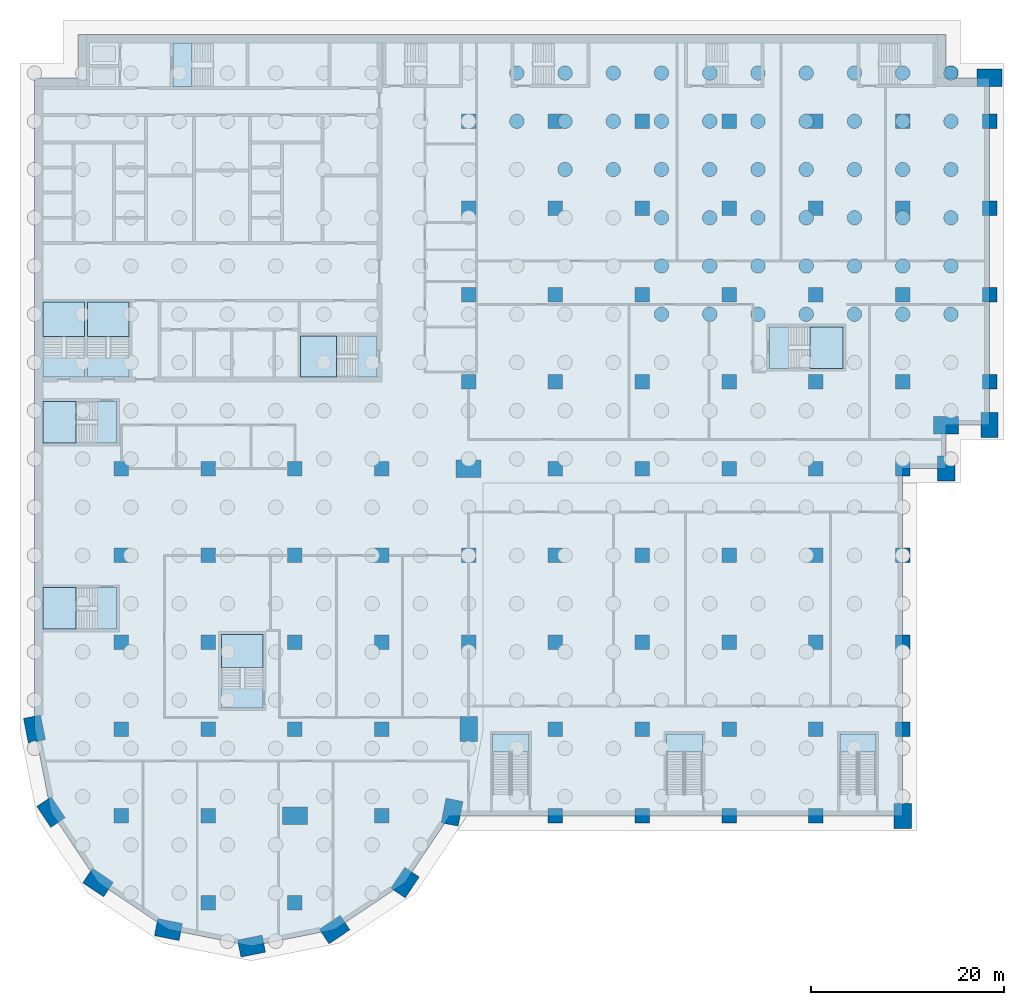
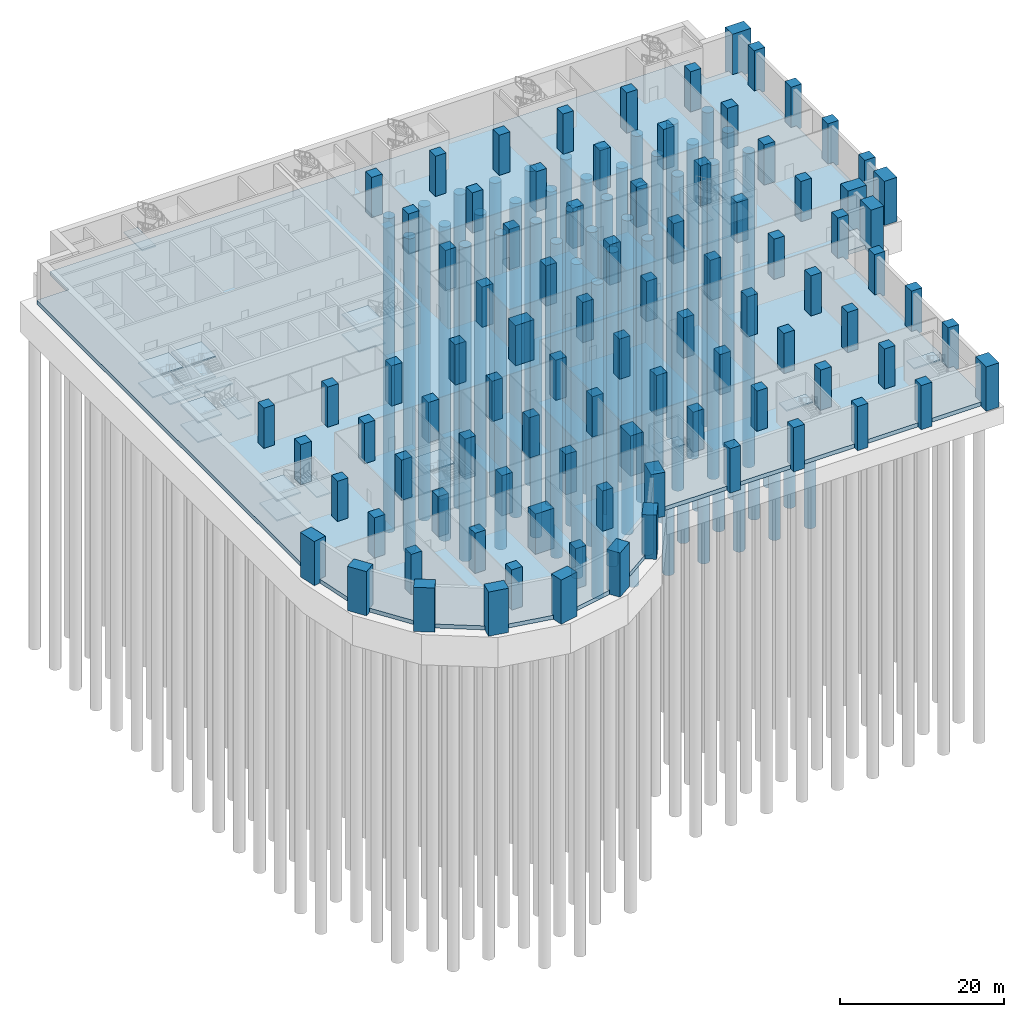
# One storey, part 2 of 25: 91 columns, 50 piles, 26 slabs, 11 elements without a shape of their own.
"""IFC4 building model written with IfcOpenShell, lengths in metres."""

from ifc_helpers import new_model, si_unit, direction, frame, origin, origin_2d, place, context, subcontext, project, spatial, polyline, rectangle, circle, outline, extrude, material, layer, layer_set, material_profile, profile_set, type_object, element, aggregate, save


model = new_model("IFC4")

# Units and contexts
model_context = context("Model", 3, precision=1e-05, world=origin(), true_north=direction((0.0, 1.0)))
body_context = subcontext(model_context, "Body", "Model", "MODEL_VIEW")
ifc_project = project(units=[si_unit("LENGTHUNIT", "METRE"), si_unit("AREAUNIT", "SQUARE_METRE"), si_unit("VOLUMEUNIT", "CUBIC_METRE"), si_unit("PLANEANGLEUNIT", "RADIAN"), si_unit("MASSUNIT", "GRAM", prefix="KILO")], contexts=[model_context])

# Site, building, storey
site_placement = place(None, origin())
site = spatial("IfcSite", under=ifc_project, at=site_placement, CompositionType="ELEMENT")
building_placement = place(site_placement, origin())
building = spatial("IfcBuilding", under=site, at=building_placement, Name="Hunhe Ridgeline Campus", CompositionType="ELEMENT")
storey_placement = place(building_placement, frame((0.0, 0.0, -6.0)))
storey = spatial("IfcBuildingStorey", under=building, at=storey_placement, Name="B1", CompositionType="ELEMENT", Elevation=-6.0)

# Piles
ifc_material_1 = material(Name="Concrete C35", Category="concrete")
ifc_material_profile_1 = material_profile(ifc_material_1, circle(Radius=0.75, at=origin_2d()))
ifc_profile_set_1 = profile_set([ifc_material_profile_1], Name="Concrete C35")
pile_type = type_object("IfcPileType", Name="Bored pile D1500 under tower raft Concrete C35", PredefinedType="BORED", material=ifc_profile_set_1)
for number, where, z_axis, x_axis, name in (
    (1, (50.0, 90.0, -5.10009765625), (0.0, 0.0, -1.0), (1.0, 0.0, 0.0), "Bored pile D1500 at F1"),
    (2, (50.0, 95.0, -5.10009765625), (0.0, 0.0, -1.0), (1.0, 0.0, 0.0), "Bored pile D1500 at F1"),
    (3, (55.0, 85.0, -5.10009765625), (0.0, 0.0, -1.0), (1.0, 0.0, 0.0), "Bored pile D1500 at F1"),
    (4, (55.0, 90.0, -5.10009765625), (0.0, 0.0, -1.0), (1.0, 0.0, 0.0), "Bored pile D1500 at F1"),
    (5, (55.0, 95.0, -5.10009765625), (0.0, 0.0, -1.0), (1.0, 0.0, 0.0), "Bored pile D1500 at F1"),
    (6, (60.0, 85.0, -5.10009765625), (0.0, 0.0, -1.0), (1.0, 0.0, 0.0), "Bored pile D1500 at F1"),
    (7, (60.0, 90.0, -5.10009765625), (0.0, 0.0, -1.0), (1.0, 0.0, 0.0), "Bored pile D1500 at F1"),
    (8, (60.0, 95.0, -5.10009765625), (0.0, 0.0, -1.0), (1.0, 0.0, 0.0), "Bored pile D1500 at F1"),
    (9, (65.0, 70.0, -5.10009765625), (0.0, 0.0, -1.0), (1.0, 0.0, 0.0), "Bored pile D1500 at F1"),
    (10, (65.0, 75.0, -5.10009765625), (0.0, 0.0, -1.0), (1.0, 0.0, 0.0), "Bored pile D1500 at F1"),
    (11, (65.0, 80.0, -5.10009765625), (0.0, 0.0, -1.0), (1.0, 0.0, 0.0), "Bored pile D1500 at F1"),
    (12, (65.0, 85.0, -5.10009765625), (0.0, 0.0, -1.0), (1.0, 0.0, 0.0), "Bored pile D1500 at F1"),
    (13, (65.0, 90.0, -5.10009765625), (0.0, 0.0, -1.0), (1.0, 0.0, 0.0), "Bored pile D1500 at F1"),
    (14, (65.0, 95.0, -5.10009765625), (0.0, 0.0, -1.0), (1.0, 0.0, 0.0), "Bored pile D1500 at F1"),
    (15, (70.0, 70.0, -5.10009765625), (0.0, 0.0, -1.0), (1.0, 0.0, 0.0), "Bored pile D1500 at F1"),
    (16, (70.0, 75.0, -5.10009765625), (0.0, 0.0, -1.0), (1.0, 0.0, 0.0), "Bored pile D1500 at F1"),
    (17, (70.0, 80.0, -5.10009765625), (0.0, 0.0, -1.0), (1.0, 0.0, 0.0), "Bored pile D1500 at F1"),
    (18, (70.0, 85.0, -5.10009765625), (0.0, 0.0, -1.0), (1.0, 0.0, 0.0), "Bored pile D1500 at F1"),
    (19, (70.0, 90.0, -5.10009765625), (0.0, 0.0, -1.0), (1.0, 0.0, 0.0), "Bored pile D1500 at F1"),
    (20, (70.0, 95.0, -5.10009765625), (0.0, 0.0, -1.0), (1.0, 0.0, 0.0), "Bored pile D1500 at F1"),
    (21, (75.0, 70.0, -5.10009765625), (0.0, 0.0, -1.0), (1.0, 0.0, 0.0), "Bored pile D1500 at F1"),
    (22, (75.0, 75.0, -5.10009765625), (0.0, 0.0, -1.0), (1.0, 0.0, 0.0), "Bored pile D1500 at F1"),
    (23, (75.0, 80.0, -5.10009765625), (0.0, 0.0, -1.0), (1.0, 0.0, 0.0), "Bored pile D1500 at F1"),
    (24, (75.0, 85.0, -5.10009765625), (0.0, 0.0, -1.0), (1.0, 0.0, 0.0), "Bored pile D1500 at F1"),
    (25, (75.0, 90.0, -5.10009765625), (0.0, 0.0, -1.0), (1.0, 0.0, 0.0), "Bored pile D1500 at F1"),
    (26, (75.0, 95.0, -5.10009765625), (0.0, 0.0, -1.0), (1.0, 0.0, 0.0), "Bored pile D1500 at F1"),
    (27, (80.0, 70.0, -5.10009765625), (0.0, 0.0, -1.0), (1.0, 0.0, 0.0), "Bored pile D1500 at F1"),
    (28, (80.0, 75.0, -5.10009765625), (0.0, 0.0, -1.0), (1.0, 0.0, 0.0), "Bored pile D1500 at F1"),
    (29, (80.0, 80.0, -5.10009765625), (0.0, 0.0, -1.0), (1.0, 0.0, 0.0), "Bored pile D1500 at F1"),
    (30, (80.0, 85.0, -5.10009765625), (0.0, 0.0, -1.0), (1.0, 0.0, 0.0), "Bored pile D1500 at F1"),
    (31, (80.0, 90.0, -5.10009765625), (0.0, 0.0, -1.0), (1.0, 0.0, 0.0), "Bored pile D1500 at F1"),
    (32, (80.0, 95.0, -5.10009765625), (0.0, 0.0, -1.0), (1.0, 0.0, 0.0), "Bored pile D1500 at F1"),
    (33, (85.0, 70.0, -5.10009765625), (0.0, 0.0, -1.0), (1.0, 0.0, 0.0), "Bored pile D1500 at F1"),
    (34, (85.0, 75.0, -5.10009765625), (0.0, 0.0, -1.0), (1.0, 0.0, 0.0), "Bored pile D1500 at F1"),
    (35, (85.0, 80.0, -5.10009765625), (0.0, 0.0, -1.0), (1.0, 0.0, 0.0), "Bored pile D1500 at F1"),
    (36, (85.0, 85.0, -5.10009765625), (0.0, 0.0, -1.0), (1.0, 0.0, 0.0), "Bored pile D1500 at F1"),
    (37, (85.0, 90.0, -5.10009765625), (0.0, 0.0, -1.0), (1.0, 0.0, 0.0), "Bored pile D1500 at F1"),
    (38, (85.0, 95.0, -5.10009765625), (0.0, 0.0, -1.0), (1.0, 0.0, 0.0), "Bored pile D1500 at F1"),
    (39, (90.0, 70.0, -5.10009765625), (0.0, 0.0, -1.0), (1.0, 0.0, 0.0), "Bored pile D1500 at F1"),
    (40, (90.0, 75.0, -5.10009765625), (0.0, 0.0, -1.0), (1.0, 0.0, 0.0), "Bored pile D1500 at F1"),
    (41, (90.0, 80.0, -5.10009765625), (0.0, 0.0, -1.0), (1.0, 0.0, 0.0), "Bored pile D1500 at F1"),
    (42, (90.0, 85.0, -5.10009765625), (0.0, 0.0, -1.0), (1.0, 0.0, 0.0), "Bored pile D1500 at F1"),
    (43, (90.0, 90.0, -5.10009765625), (0.0, 0.0, -1.0), (1.0, 0.0, 0.0), "Bored pile D1500 at F1"),
    (44, (90.0, 95.0, -5.10009765625), (0.0, 0.0, -1.0), (1.0, 0.0, 0.0), "Bored pile D1500 at F1"),
    (45, (95.0, 70.0, -5.10009765625), (0.0, 0.0, -1.0), (1.0, 0.0, 0.0), "Bored pile D1500 at F1"),
    (46, (95.0, 75.0, -5.10009765625), (0.0, 0.0, -1.0), (1.0, 0.0, 0.0), "Bored pile D1500 at F1"),
    (47, (95.0, 80.0, -5.10009765625), (0.0, 0.0, -1.0), (1.0, 0.0, 0.0), "Bored pile D1500 at F1"),
    (48, (95.0, 85.0, -5.10009765625), (0.0, 0.0, -1.0), (1.0, 0.0, 0.0), "Bored pile D1500 at F1"),
    (49, (95.0, 90.0, -5.10009765625), (0.0, 0.0, -1.0), (1.0, 0.0, 0.0), "Bored pile D1500 at F1"),
    (50, (95.0, 95.0, -5.10009765625), (0.0, 0.0, -1.0), (1.0, 0.0, 0.0), "Bored pile D1500 at F1"),
):
    element("IfcPile", number, at=place(storey_placement, frame(where, z_axis=z_axis, x_axis=x_axis)), inside=storey, type_object=pile_type, Name=name, PredefinedType="BORED", context=body_context, shape_type="SweptSolid", body=[
        extrude(circle(Radius=0.75, at=origin_2d()), origin(), (0.0, 0.0, 1.0), 46.89990234375),
    ])

# Columns
ifc_material_2 = material(Name="Concrete C80", Category="concrete")
ifc_material_profile_2 = material_profile(ifc_material_2, rectangle(XDim=2.60009765625, YDim=1.800048828125, at=origin_2d()))
ifc_profile_set_2 = profile_set([ifc_material_profile_2], Name="Concrete C80")
column_type_1 = type_object("IfcColumnType", Name="Megacolumn 2600x1800 Concrete C80", PredefinedType="COLUMN", material=ifc_profile_set_2)
for number, where, z_axis, x_axis, name in (
    (51, (22.5, 4.5, -0.60009765625), (0.0, 0.0, 1.0), (0.980785280403, 0.195090322016, 0.0), "Column C1 R1 B1"),
    (52, (13.8896484375, 6.212646484375, -0.60009765625), (0.0, 0.0, 1.0), (-0.980785280403, 0.195090322016, 0.0), "Column C1 R2 B1"),
    (53, (31.1103515625, 6.212646484375, -0.60009765625), (0.0, 0.0, 1.0), (0.831469612303, 0.55557023302, 0.0), "Column C1 R3 B1"),
    (54, (6.590087890625, 11.090087890625, -0.60009765625), (0.0, 0.0, 1.0), (-0.831469612303, 0.55557023302, 0.0), "Column C1 R4 B1"),
    (55, (38.409912109375, 11.090087890625, -0.60009765625), (0.0, 0.0, 1.0), (0.55557023302, 0.831469612303, 0.0), "Column C1 R5 B1"),
    (56, (1.712646484375, 18.3896484375, -0.60009765625), (0.0, 0.0, 1.0), (-0.55557023302, 0.831469612303, 0.0), "Column C1 R9 B1"),
    (57, (43.287353515625, 18.3896484375, -0.60009765625), (0.0, 0.0, 1.0), (0.195090322016, 0.980785280403, 0.0), "Column C1 R10 B1"),
    (58, (0.0, 27.0, -0.60009765625), (0.0, 0.0, 1.0), (-0.195090322016, 0.980785280403, 0.0), "Column C1 D1 B1"),
    (59, (45.0, 27.0, -0.60009765625), (0.0, 0.0, 1.0), (0.0, 1.0, 0.0), "Column C1 D6 B1"),
    (60, (45.0, 54.0, -0.60009765625), (0.0, 0.0, 1.0), (1.0, 0.0, 0.0), "Column C1 G6 B1"),
    (61, (94.5, 54.0, -0.60009765625), (0.0, 0.0, 1.0), (0.0, 1.0, 0.0), "Column C1 R32 B1"),
    (62, (94.5, 58.5, -0.60009765625), (0.0, 0.0, 1.0), (1.0, 0.0, 0.0), "Column C1 R39 B1"),
    (63, (99.0, 58.5, -0.60009765625), (0.0, 0.0, 1.0), (0.0, 1.0, 0.0), "Column C1 R40 B1"),
    (64, (99.0, 94.5, -0.60009765625), (0.0, 0.0, 1.0), (1.0, 0.0, 0.0), "Column C1 R44 B1"),
    (65, (27.0, 18.0, -0.60009765625), (0.0, 0.0, 1.0), (1.0, 0.0, 0.0), "Column C1 C4 B1"),
    (66, (90.0, 18.0, -0.60009765625), (0.0, 0.0, 1.0), (0.0, 1.0, 0.0), "Column C1 C11 B1"),
):
    element("IfcColumn", number, at=place(storey_placement, frame(where, z_axis=z_axis, x_axis=x_axis)), inside=storey, type_object=column_type_1, Name=name, PredefinedType="COLUMN", context=body_context, shape_type="SweptSolid", body=[
        extrude(rectangle(XDim=2.60009765625, YDim=1.800048828125, at=origin_2d()), origin(), (0.0, 0.0, 1.0), 6.60009765625),
    ])
ifc_material_profile_3 = material_profile(ifc_material_2, rectangle(XDim=1.5, YDim=1.5, at=origin_2d()))
ifc_profile_set_3 = profile_set([ifc_material_profile_3], Name="Concrete C80")
column_type_2 = type_object("IfcColumnType", Name="RC column 1500x1500 Concrete C80", PredefinedType="COLUMN", material=ifc_profile_set_3)
for number, where, z_axis, x_axis, name in (
    (67, (45.0, 36.0, -0.60009765625), (0.0, 0.0, 1.0), (1.0, 0.0, 0.0), "Column C2 E6 B1"),
    (68, (45.0, 45.0, -0.60009765625), (0.0, 0.0, 1.0), (1.0, 0.0, 0.0), "Column C2 F6 B1"),
    (69, (54.0, 54.0, -0.60009765625), (0.0, 0.0, 1.0), (1.0, 0.0, 0.0), "Column C2 G7 B1"),
    (70, (63.0, 54.0, -0.60009765625), (0.0, 0.0, 1.0), (1.0, 0.0, 0.0), "Column C2 G8 B1"),
    (71, (72.0, 54.0, -0.60009765625), (0.0, 0.0, 1.0), (1.0, 0.0, 0.0), "Column C2 G9 B1"),
    (72, (81.0, 54.0, -0.60009765625), (0.0, 0.0, 1.0), (1.0, 0.0, 0.0), "Column C2 G10 B1"),
    (73, (90.0, 54.0, -0.60009765625), (0.0, 0.0, 1.0), (1.0, 0.0, 0.0), "Column C2 G11 B1"),
    (74, (99.0, 63.0, -0.60009765625), (0.0, 0.0, 1.0), (1.0, 0.0, 0.0), "Column C2 H12 B1"),
    (75, (99.0, 72.0, -0.60009765625), (0.0, 0.0, 1.0), (1.0, 0.0, 0.0), "Column C2 I12 B1"),
    (76, (99.0, 81.0, -0.60009765625), (0.0, 0.0, 1.0), (1.0, 0.0, 0.0), "Column C2 J12 B1"),
    (77, (99.0, 90.0, -0.60009765625), (0.0, 0.0, 1.0), (1.0, 0.0, 0.0), "Column C2 K12 B1"),
    (78, (9.0, 18.0, -0.60009765625), (0.0, 0.0, 1.0), (1.0, 0.0, 0.0), "Column C2 C2 B1"),
    (79, (9.0, 27.0, -0.60009765625), (0.0, 0.0, 1.0), (1.0, 0.0, 0.0), "Column C2 D2 B1"),
    (80, (9.0, 36.0, -0.60009765625), (0.0, 0.0, 1.0), (1.0, 0.0, 0.0), "Column C2 E2 B1"),
    (81, (9.0, 45.0, -0.60009765625), (0.0, 0.0, 1.0), (1.0, 0.0, 0.0), "Column C2 F2 B1"),
    (82, (9.0, 54.0, -0.60009765625), (0.0, 0.0, 1.0), (1.0, 0.0, 0.0), "Column C2 G2 B1"),
    (83, (18.0, 18.0, -0.60009765625), (0.0, 0.0, 1.0), (1.0, 0.0, 0.0), "Column C2 C3 B1"),
    (84, (18.0, 27.0, -0.60009765625), (0.0, 0.0, 1.0), (1.0, 0.0, 0.0), "Column C2 D3 B1"),
    (85, (18.0, 36.0, -0.60009765625), (0.0, 0.0, 1.0), (1.0, 0.0, 0.0), "Column C2 E3 B1"),
    (86, (18.0, 45.0, -0.60009765625), (0.0, 0.0, 1.0), (1.0, 0.0, 0.0), "Column C2 F3 B1"),
    (87, (18.0, 54.0, -0.60009765625), (0.0, 0.0, 1.0), (1.0, 0.0, 0.0), "Column C2 G3 B1"),
    (88, (27.0, 27.0, -0.60009765625), (0.0, 0.0, 1.0), (1.0, 0.0, 0.0), "Column C2 D4 B1"),
    (89, (27.0, 36.0, -0.60009765625), (0.0, 0.0, 1.0), (1.0, 0.0, 0.0), "Column C2 E4 B1"),
    (90, (27.0, 45.0, -0.60009765625), (0.0, 0.0, 1.0), (1.0, 0.0, 0.0), "Column C2 F4 B1"),
    (91, (27.0, 54.0, -0.60009765625), (0.0, 0.0, 1.0), (1.0, 0.0, 0.0), "Column C2 G4 B1"),
    (92, (36.0, 18.0, -0.60009765625), (0.0, 0.0, 1.0), (1.0, 0.0, 0.0), "Column C2 C5 B1"),
    (93, (36.0, 27.0, -0.60009765625), (0.0, 0.0, 1.0), (1.0, 0.0, 0.0), "Column C2 D5 B1"),
    (94, (36.0, 36.0, -0.60009765625), (0.0, 0.0, 1.0), (1.0, 0.0, 0.0), "Column C2 E5 B1"),
    (95, (36.0, 45.0, -0.60009765625), (0.0, 0.0, 1.0), (1.0, 0.0, 0.0), "Column C2 F5 B1"),
    (96, (36.0, 54.0, -0.60009765625), (0.0, 0.0, 1.0), (1.0, 0.0, 0.0), "Column C2 G5 B1"),
    (97, (45.0, 63.0, -0.60009765625), (0.0, 0.0, 1.0), (1.0, 0.0, 0.0), "Column C2 H6 B1"),
    (98, (45.0, 72.0, -0.60009765625), (0.0, 0.0, 1.0), (1.0, 0.0, 0.0), "Column C2 I6 B1"),
    (99, (45.0, 81.0, -0.60009765625), (0.0, 0.0, 1.0), (1.0, 0.0, 0.0), "Column C2 J6 B1"),
    (100, (45.0, 90.0, -0.60009765625), (0.0, 0.0, 1.0), (1.0, 0.0, 0.0), "Column C2 K6 B1"),
    (101, (54.0, 63.0, -0.60009765625), (0.0, 0.0, 1.0), (1.0, 0.0, 0.0), "Column C2 H7 B1"),
    (102, (54.0, 72.0, -0.60009765625), (0.0, 0.0, 1.0), (1.0, 0.0, 0.0), "Column C2 I7 B1"),
    (103, (54.0, 81.0, -0.60009765625), (0.0, 0.0, 1.0), (1.0, 0.0, 0.0), "Column C2 J7 B1"),
    (104, (54.0, 90.0, -0.60009765625), (0.0, 0.0, 1.0), (1.0, 0.0, 0.0), "Column C2 K7 B1"),
    (105, (63.0, 63.0, -0.60009765625), (0.0, 0.0, 1.0), (1.0, 0.0, 0.0), "Column C2 H8 B1"),
    (106, (63.0, 72.0, -0.60009765625), (0.0, 0.0, 1.0), (1.0, 0.0, 0.0), "Column C2 I8 B1"),
    (107, (63.0, 81.0, -0.60009765625), (0.0, 0.0, 1.0), (1.0, 0.0, 0.0), "Column C2 J8 B1"),
    (108, (63.0, 90.0, -0.60009765625), (0.0, 0.0, 1.0), (1.0, 0.0, 0.0), "Column C2 K8 B1"),
    (109, (72.0, 63.0, -0.60009765625), (0.0, 0.0, 1.0), (1.0, 0.0, 0.0), "Column C2 H9 B1"),
    (110, (72.0, 72.0, -0.60009765625), (0.0, 0.0, 1.0), (1.0, 0.0, 0.0), "Column C2 I9 B1"),
    (111, (72.0, 81.0, -0.60009765625), (0.0, 0.0, 1.0), (1.0, 0.0, 0.0), "Column C2 J9 B1"),
    (112, (72.0, 90.0, -0.60009765625), (0.0, 0.0, 1.0), (1.0, 0.0, 0.0), "Column C2 K9 B1"),
    (113, (81.0, 63.0, -0.60009765625), (0.0, 0.0, 1.0), (1.0, 0.0, 0.0), "Column C2 H10 B1"),
    (114, (81.0, 72.0, -0.60009765625), (0.0, 0.0, 1.0), (1.0, 0.0, 0.0), "Column C2 I10 B1"),
    (115, (81.0, 81.0, -0.60009765625), (0.0, 0.0, 1.0), (1.0, 0.0, 0.0), "Column C2 J10 B1"),
    (116, (81.0, 90.0, -0.60009765625), (0.0, 0.0, 1.0), (1.0, 0.0, 0.0), "Column C2 K10 B1"),
    (117, (90.0, 63.0, -0.60009765625), (0.0, 0.0, 1.0), (1.0, 0.0, 0.0), "Column C2 H11 B1"),
    (118, (90.0, 72.0, -0.60009765625), (0.0, 0.0, 1.0), (1.0, 0.0, 0.0), "Column C2 I11 B1"),
    (119, (90.0, 81.0, -0.60009765625), (0.0, 0.0, 1.0), (1.0, 0.0, 0.0), "Column C2 J11 B1"),
    (120, (90.0, 90.0, -0.60009765625), (0.0, 0.0, 1.0), (1.0, 0.0, 0.0), "Column C2 K11 B1"),
    (121, (54.0, 18.0, -0.60009765625), (0.0, 0.0, 1.0), (1.0, 0.0, 0.0), "Column C2 C7 B1"),
    (122, (63.0, 18.0, -0.60009765625), (0.0, 0.0, 1.0), (1.0, 0.0, 0.0), "Column C2 C8 B1"),
    (123, (72.0, 18.0, -0.60009765625), (0.0, 0.0, 1.0), (1.0, 0.0, 0.0), "Column C2 C9 B1"),
    (124, (81.0, 18.0, -0.60009765625), (0.0, 0.0, 1.0), (1.0, 0.0, 0.0), "Column C2 C10 B1"),
    (125, (90.0, 27.0, -0.60009765625), (0.0, 0.0, 1.0), (1.0, 0.0, 0.0), "Column C2 D11 B1"),
    (126, (90.0, 36.0, -0.60009765625), (0.0, 0.0, 1.0), (1.0, 0.0, 0.0), "Column C2 E11 B1"),
    (127, (90.0, 45.0, -0.60009765625), (0.0, 0.0, 1.0), (1.0, 0.0, 0.0), "Column C2 F11 B1"),
    (128, (18.0, 9.0, -0.60009765625), (0.0, 0.0, 1.0), (1.0, 0.0, 0.0), "Column C2 B3 B1"),
    (129, (27.0, 9.0, -0.60009765625), (0.0, 0.0, 1.0), (1.0, 0.0, 0.0), "Column C2 B4 B1"),
    (130, (54.0, 27.0, -0.60009765625), (0.0, 0.0, 1.0), (1.0, 0.0, 0.0), "Column C2 D7 B1"),
    (131, (54.0, 36.0, -0.60009765625), (0.0, 0.0, 1.0), (1.0, 0.0, 0.0), "Column C2 E7 B1"),
    (132, (54.0, 45.0, -0.60009765625), (0.0, 0.0, 1.0), (1.0, 0.0, 0.0), "Column C2 F7 B1"),
    (133, (63.0, 27.0, -0.60009765625), (0.0, 0.0, 1.0), (1.0, 0.0, 0.0), "Column C2 D8 B1"),
    (134, (63.0, 36.0, -0.60009765625), (0.0, 0.0, 1.0), (1.0, 0.0, 0.0), "Column C2 E8 B1"),
    (135, (63.0, 45.0, -0.60009765625), (0.0, 0.0, 1.0), (1.0, 0.0, 0.0), "Column C2 F8 B1"),
    (136, (72.0, 27.0, -0.60009765625), (0.0, 0.0, 1.0), (1.0, 0.0, 0.0), "Column C2 D9 B1"),
    (137, (72.0, 36.0, -0.60009765625), (0.0, 0.0, 1.0), (1.0, 0.0, 0.0), "Column C2 E9 B1"),
    (138, (72.0, 45.0, -0.60009765625), (0.0, 0.0, 1.0), (1.0, 0.0, 0.0), "Column C2 F9 B1"),
    (139, (81.0, 27.0, -0.60009765625), (0.0, 0.0, 1.0), (1.0, 0.0, 0.0), "Column C2 D10 B1"),
    (140, (81.0, 36.0, -0.60009765625), (0.0, 0.0, 1.0), (1.0, 0.0, 0.0), "Column C2 E10 B1"),
    (141, (81.0, 45.0, -0.60009765625), (0.0, 0.0, 1.0), (1.0, 0.0, 0.0), "Column C2 F10 B1"),
):
    element("IfcColumn", number, at=place(storey_placement, frame(where, z_axis=z_axis, x_axis=x_axis)), inside=storey, type_object=column_type_2, Name=name, PredefinedType="COLUMN", context=body_context, shape_type="SweptSolid", body=[
        extrude(rectangle(XDim=1.5, YDim=1.5, at=origin_2d()), origin(), (0.0, 0.0, 1.0), 6.60009765625),
    ])

# Slab
ifc_material_3 = material(Name="Concrete C40", Category="concrete")
ifc_layer_1 = layer(ifc_material_3, 0.60009765625)
ifc_layer_set_1 = layer_set([ifc_layer_1], Name="Base slab 600 Concrete C40")
slab_type_1 = type_object("IfcSlabType", Name="Base slab 600 Concrete C40", PredefinedType="BASESLAB", material=ifc_layer_set_1)
slab_1_placement = place(storey_placement, frame((0.0, 0.0, -0.60009765625)))
element("IfcSlab", 142, at=slab_1_placement, inside=storey, type_object=slab_type_1, Name="Base slab", PredefinedType="BASESLAB", context=body_context, shape_type="SweptSolid", body=[
    extrude(outline(polyline([(90.0, 54.0), (94.5, 54.0), (94.5, 58.5), (99.0, 58.5), (99.0, 94.5), (94.5, 94.5), (94.5, 99.0), (4.5, 99.0), (4.5, 94.5), (0.0, 94.5), (0.0, 27.0), (1.712646484375, 18.3896484375), (6.590087890625, 11.090087890625), (13.8896484375, 6.212646484375), (22.5, 4.5), (31.1103515625, 6.212646484375), (38.409912109375, 11.090087890625), (43.02685546875, 18.0), (90.0, 18.0), (90.0, 54.0)])), origin(), (0.0, 0.0, 1.0), 0.60009765625),
])

# Stair, slab
stair_type_1 = type_object("IfcStairType", Name="Podium exit stair 1800", PredefinedType="HALF_TURN_STAIR", material=ifc_material_3)
stair_1_placement = place(storey_placement, origin())
stair_1 = element("IfcStair", 143, at=stair_1_placement, inside=storey, type_object=stair_type_1, Name="B1 podium stair PS1", PredefinedType="HALF_TURN_STAIR")
ifc_layer_2 = layer(ifc_material_3, 0.199951171875)
ifc_layer_set_2 = layer_set([ifc_layer_2], Name="Podium stair landing 200 C40")
slab_type_2 = type_object("IfcSlabType", Name="Podium stair landing 200 C40", PredefinedType="LANDING", material=ifc_layer_set_2)
slab_2_placement = place(storey_placement, frame((0.0, 0.0, 2.800048828125)))
slab_2 = element("IfcSlab", 144, at=slab_2_placement, type_object=slab_type_2, Name="PS1 landing 1", PredefinedType="LANDING", context=body_context, shape_type="SweptSolid", body=[
    extrude(outline(polyline([(51.25, 24.6201171875), (51.25, 26.5), (47.5, 26.5), (47.5, 24.6201171875), (51.25, 24.6201171875)])), origin(), (0.0, 0.0, 1.0), 0.199951171875),
])
aggregate(stair_1, [slab_2])

stair_2_placement = place(storey_placement, origin())
stair_2 = element("IfcStair", 145, at=stair_2_placement, inside=storey, type_object=stair_type_1, Name="B1 podium stair PS2", PredefinedType="HALF_TURN_STAIR")
slab_3_placement = place(storey_placement, frame((0.0, 0.0, 2.800048828125)))
slab_3 = element("IfcSlab", 146, at=slab_3_placement, type_object=slab_type_2, Name="PS2 landing 1", PredefinedType="LANDING", context=body_context, shape_type="SweptSolid", body=[
    extrude(outline(polyline([(69.25, 24.6201171875), (69.25, 26.5), (65.5, 26.5), (65.5, 24.6201171875), (69.25, 24.6201171875)])), origin(), (0.0, 0.0, 1.0), 0.199951171875),
])
aggregate(stair_2, [slab_3])

stair_3_placement = place(storey_placement, origin())
stair_3 = element("IfcStair", 147, at=stair_3_placement, inside=storey, type_object=stair_type_1, Name="B1 podium stair PS3", PredefinedType="HALF_TURN_STAIR")
slab_4_placement = place(storey_placement, frame((0.0, 0.0, 2.800048828125)))
slab_4 = element("IfcSlab", 148, at=slab_4_placement, type_object=slab_type_2, Name="PS3 landing 1", PredefinedType="LANDING", context=body_context, shape_type="SweptSolid", body=[
    extrude(outline(polyline([(87.25, 24.6201171875), (87.25, 26.5), (83.5, 26.5), (83.5, 24.6201171875), (87.25, 24.6201171875)])), origin(), (0.0, 0.0, 1.0), 0.199951171875),
])
aggregate(stair_3, [slab_4])

stair_type_2 = type_object("IfcStairType", Name="Reinforced concrete dog-leg stair 1950 Concrete C40", PredefinedType="HALF_TURN_STAIR", material=ifc_material_3)
stair_4_placement = place(storey_placement, origin())
stair_4 = element("IfcStair", 149, at=stair_4_placement, inside=storey, type_object=stair_type_2, Name="B1 S1", PredefinedType="HALF_TURN_STAIR")
ifc_layer_3 = layer(ifc_material_3, 0.199951171875)
ifc_layer_set_3 = layer_set([ifc_layer_3], Name="Reinforced concrete stair landing 200 Concrete C40")
slab_type_3 = type_object("IfcSlabType", Name="Reinforced concrete stair landing 200 Concrete C40", PredefinedType="LANDING", material=ifc_layer_set_3)
slab_5_placement = place(storey_placement, frame((0.0, 0.0, 2.800048828125)))
slab_5 = element("IfcSlab", 150, at=slab_5_placement, type_object=slab_type_3, Name="ST1 landing 2", PredefinedType="LANDING", context=body_context, shape_type="SweptSolid", body=[
    extrude(outline(polyline([(14.35009765625, 93.60009765625), (16.300048828125, 93.60009765625), (16.300048828125, 98.10009765625), (14.35009765625, 98.10009765625), (14.35009765625, 93.60009765625)])), origin(), (0.0, 0.0, 1.0), 0.199951171875),
])
aggregate(stair_4, [slab_5])

# Stair, slabs
stair_5_placement = place(storey_placement, origin())
stair_5 = element("IfcStair", 151, at=stair_5_placement, inside=storey, type_object=stair_type_2, Name="B1 S2", PredefinedType="HALF_TURN_STAIR")
slab_6_placement = place(storey_placement, frame((0.0, 0.0, 1.300048828125)))
slab_6 = element("IfcSlab", 152, at=slab_6_placement, type_object=slab_type_3, Name="ST2 landing 1", PredefinedType="LANDING", context=body_context, shape_type="SweptSolid", body=[
    extrude(outline(polyline([(31.31005859375, 67.75), (27.60009765625, 67.75), (27.60009765625, 63.5), (31.31005859375, 63.5), (31.31005859375, 67.75)])), origin(), (0.0, 0.0, 1.0), 0.199951171875),
])
slab_7_placement = place(storey_placement, frame((0.0, 0.0, 2.800048828125)))
slab_7 = element("IfcSlab", 153, at=slab_7_placement, type_object=slab_type_3, Name="ST2 landing 2", PredefinedType="LANDING", context=body_context, shape_type="SweptSolid", body=[
    extrude(outline(polyline([(35.5, 67.75), (33.550048828125, 67.75), (33.550048828125, 63.5), (35.5, 63.5), (35.5, 67.75)])), origin(), (0.0, 0.0, 1.0), 0.199951171875),
])
slab_8_placement = place(storey_placement, frame((0.0, 0.0, 4.300048828125)))
slab_8 = element("IfcSlab", 154, at=slab_8_placement, type_object=slab_type_3, Name="ST2 landing 3", PredefinedType="LANDING", context=body_context, shape_type="SweptSolid", body=[
    extrude(outline(polyline([(31.31005859375, 67.75), (27.60009765625, 67.75), (27.60009765625, 63.5), (31.31005859375, 63.5), (31.31005859375, 67.75)])), origin(), (0.0, 0.0, 1.0), 0.199951171875),
])
aggregate(stair_5, [slab_6, slab_7, slab_8])

stair_6_placement = place(storey_placement, origin())
stair_6 = element("IfcStair", 155, at=stair_6_placement, inside=storey, type_object=stair_type_2, Name="B1 S3", PredefinedType="HALF_TURN_STAIR")
slab_9_placement = place(storey_placement, frame((0.0, 0.0, 1.300048828125)))
slab_9 = element("IfcSlab", 156, at=slab_9_placement, type_object=slab_type_3, Name="ST3 landing 1", PredefinedType="LANDING", context=body_context, shape_type="SweptSolid", body=[
    extrude(outline(polyline([(5.199951171875, 67.68994140625), (5.199951171875, 71.25), (0.89990234375, 71.25), (0.89990234375, 67.68994140625), (5.199951171875, 67.68994140625)])), origin(), (0.0, 0.0, 1.0), 0.199951171875),
])
slab_10_placement = place(storey_placement, frame((0.0, 0.0, 2.800048828125)))
slab_10 = element("IfcSlab", 157, at=slab_10_placement, type_object=slab_type_3, Name="ST3 landing 2", PredefinedType="LANDING", context=body_context, shape_type="SweptSolid", body=[
    extrude(outline(polyline([(5.199951171875, 63.5), (5.199951171875, 65.449951171875), (0.89990234375, 65.449951171875), (0.89990234375, 63.5), (5.199951171875, 63.5)])), origin(), (0.0, 0.0, 1.0), 0.199951171875),
])
slab_11_placement = place(storey_placement, frame((0.0, 0.0, 4.300048828125)))
slab_11 = element("IfcSlab", 158, at=slab_11_placement, type_object=slab_type_3, Name="ST3 landing 3", PredefinedType="LANDING", context=body_context, shape_type="SweptSolid", body=[
    extrude(outline(polyline([(5.199951171875, 67.68994140625), (5.199951171875, 71.25), (0.89990234375, 71.25), (0.89990234375, 67.68994140625), (5.199951171875, 67.68994140625)])), origin(), (0.0, 0.0, 1.0), 0.199951171875),
])
aggregate(stair_6, [slab_9, slab_10, slab_11])

stair_7_placement = place(storey_placement, origin())
stair_7 = element("IfcStair", 159, at=stair_7_placement, inside=storey, type_object=stair_type_2, Name="B1 S4", PredefinedType="HALF_TURN_STAIR")
slab_12_placement = place(storey_placement, frame((0.0, 0.0, 1.300048828125)))
slab_12 = element("IfcSlab", 160, at=slab_12_placement, type_object=slab_type_3, Name="ST4 landing 1", PredefinedType="LANDING", context=body_context, shape_type="SweptSolid", body=[
    extrude(outline(polyline([(9.800048828125, 67.68994140625), (9.800048828125, 71.25), (5.5, 71.25), (5.5, 67.68994140625), (9.800048828125, 67.68994140625)])), origin(), (0.0, 0.0, 1.0), 0.199951171875),
])
slab_13_placement = place(storey_placement, frame((0.0, 0.0, 2.800048828125)))
slab_13 = element("IfcSlab", 161, at=slab_13_placement, type_object=slab_type_3, Name="ST4 landing 2", PredefinedType="LANDING", context=body_context, shape_type="SweptSolid", body=[
    extrude(outline(polyline([(9.800048828125, 63.5), (9.800048828125, 65.449951171875), (5.5, 65.449951171875), (5.5, 63.5), (9.800048828125, 63.5)])), origin(), (0.0, 0.0, 1.0), 0.199951171875),
])
slab_14_placement = place(storey_placement, frame((0.0, 0.0, 4.300048828125)))
slab_14 = element("IfcSlab", 162, at=slab_14_placement, type_object=slab_type_3, Name="ST4 landing 3", PredefinedType="LANDING", context=body_context, shape_type="SweptSolid", body=[
    extrude(outline(polyline([(9.800048828125, 67.68994140625), (9.800048828125, 71.25), (5.5, 71.25), (5.5, 67.68994140625), (9.800048828125, 67.68994140625)])), origin(), (0.0, 0.0, 1.0), 0.199951171875),
])
aggregate(stair_7, [slab_12, slab_13, slab_14])

stair_8_placement = place(storey_placement, origin())
stair_8 = element("IfcStair", 163, at=stair_8_placement, inside=storey, type_object=stair_type_2, Name="B1 W3", PredefinedType="HALF_TURN_STAIR")
slab_15_placement = place(storey_placement, frame((0.0, 0.0, 1.300048828125)))
slab_15 = element("IfcSlab", 164, at=slab_15_placement, type_object=slab_type_3, Name="ST9 landing 1", PredefinedType="LANDING", context=body_context, shape_type="SweptSolid", body=[
    extrude(outline(polyline([(23.699951171875, 33.389892578125), (23.699951171875, 36.800048828125), (19.39990234375, 36.800048828125), (19.39990234375, 33.389892578125), (23.699951171875, 33.389892578125)])), origin(), (0.0, 0.0, 1.0), 0.199951171875),
])
slab_16_placement = place(storey_placement, frame((0.0, 0.0, 2.800048828125)))
slab_16 = element("IfcSlab", 165, at=slab_16_placement, type_object=slab_type_3, Name="ST9 landing 2", PredefinedType="LANDING", context=body_context, shape_type="SweptSolid", body=[
    extrude(outline(polyline([(23.699951171875, 29.199951171875), (23.699951171875, 31.14990234375), (19.39990234375, 31.14990234375), (19.39990234375, 29.199951171875), (23.699951171875, 29.199951171875)])), origin(), (0.0, 0.0, 1.0), 0.199951171875),
])
slab_17_placement = place(storey_placement, frame((0.0, 0.0, 4.300048828125)))
slab_17 = element("IfcSlab", 166, at=slab_17_placement, type_object=slab_type_3, Name="ST9 landing 3", PredefinedType="LANDING", context=body_context, shape_type="SweptSolid", body=[
    extrude(outline(polyline([(23.699951171875, 33.389892578125), (23.699951171875, 36.800048828125), (19.39990234375, 36.800048828125), (19.39990234375, 33.389892578125), (23.699951171875, 33.389892578125)])), origin(), (0.0, 0.0, 1.0), 0.199951171875),
])
aggregate(stair_8, [slab_15, slab_16, slab_17])

stair_9_placement = place(storey_placement, origin())
stair_9 = element("IfcStair", 167, at=stair_9_placement, inside=storey, type_object=stair_type_2, Name="B1 E5", PredefinedType="HALF_TURN_STAIR")
slab_18_placement = place(storey_placement, frame((0.0, 0.0, 1.300048828125)))
slab_18 = element("IfcSlab", 168, at=slab_18_placement, type_object=slab_type_3, Name="ST10 landing 1", PredefinedType="LANDING", context=body_context, shape_type="SweptSolid", body=[
    extrude(outline(polyline([(80.389892578125, 64.39990234375), (83.800048828125, 64.39990234375), (83.800048828125, 68.699951171875), (80.389892578125, 68.699951171875), (80.389892578125, 64.39990234375)])), origin(), (0.0, 0.0, 1.0), 0.199951171875),
])
slab_19_placement = place(storey_placement, frame((0.0, 0.0, 2.800048828125)))
slab_19 = element("IfcSlab", 169, at=slab_19_placement, type_object=slab_type_3, Name="ST10 landing 2", PredefinedType="LANDING", context=body_context, shape_type="SweptSolid", body=[
    extrude(outline(polyline([(76.199951171875, 64.39990234375), (78.14990234375, 64.39990234375), (78.14990234375, 68.699951171875), (76.199951171875, 68.699951171875), (76.199951171875, 64.39990234375)])), origin(), (0.0, 0.0, 1.0), 0.199951171875),
])
slab_20_placement = place(storey_placement, frame((0.0, 0.0, 4.300048828125)))
slab_20 = element("IfcSlab", 170, at=slab_20_placement, type_object=slab_type_3, Name="ST10 landing 3", PredefinedType="LANDING", context=body_context, shape_type="SweptSolid", body=[
    extrude(outline(polyline([(80.389892578125, 64.39990234375), (83.800048828125, 64.39990234375), (83.800048828125, 68.699951171875), (80.389892578125, 68.699951171875), (80.389892578125, 64.39990234375)])), origin(), (0.0, 0.0, 1.0), 0.199951171875),
])
aggregate(stair_9, [slab_18, slab_19, slab_20])

stair_10_placement = place(storey_placement, origin())
stair_10 = element("IfcStair", 171, at=stair_10_placement, inside=storey, type_object=stair_type_2, Name="B1 W1", PredefinedType="HALF_TURN_STAIR")
slab_21_placement = place(storey_placement, frame((0.0, 0.0, 1.300048828125)))
slab_21 = element("IfcSlab", 172, at=slab_21_placement, type_object=slab_type_3, Name="ST11 landing 1", PredefinedType="LANDING", context=body_context, shape_type="SweptSolid", body=[
    extrude(outline(polyline([(4.31005859375, 41.64990234375), (0.89990234375, 41.64990234375), (0.89990234375, 37.35009765625), (4.31005859375, 37.35009765625), (4.31005859375, 41.64990234375)])), origin(), (0.0, 0.0, 1.0), 0.199951171875),
])
slab_22_placement = place(storey_placement, frame((0.0, 0.0, 2.800048828125)))
slab_22 = element("IfcSlab", 173, at=slab_22_placement, type_object=slab_type_3, Name="ST11 landing 2", PredefinedType="LANDING", context=body_context, shape_type="SweptSolid", body=[
    extrude(outline(polyline([(8.5, 41.64990234375), (6.550048828125, 41.64990234375), (6.550048828125, 37.35009765625), (8.5, 37.35009765625), (8.5, 41.64990234375)])), origin(), (0.0, 0.0, 1.0), 0.199951171875),
])
slab_23_placement = place(storey_placement, frame((0.0, 0.0, 4.300048828125)))
slab_23 = element("IfcSlab", 174, at=slab_23_placement, type_object=slab_type_3, Name="ST11 landing 3", PredefinedType="LANDING", context=body_context, shape_type="SweptSolid", body=[
    extrude(outline(polyline([(4.31005859375, 41.64990234375), (0.89990234375, 41.64990234375), (0.89990234375, 37.35009765625), (4.31005859375, 37.35009765625), (4.31005859375, 41.64990234375)])), origin(), (0.0, 0.0, 1.0), 0.199951171875),
])
aggregate(stair_10, [slab_21, slab_22, slab_23])

stair_11_placement = place(storey_placement, origin())
stair_11 = element("IfcStair", 175, at=stair_11_placement, inside=storey, type_object=stair_type_2, Name="B1 W2", PredefinedType="HALF_TURN_STAIR")
slab_24_placement = place(storey_placement, frame((0.0, 0.0, 1.300048828125)))
slab_24 = element("IfcSlab", 176, at=slab_24_placement, type_object=slab_type_3, Name="ST12 landing 1", PredefinedType="LANDING", context=body_context, shape_type="SweptSolid", body=[
    extrude(outline(polyline([(4.31005859375, 60.949951171875), (0.89990234375, 60.949951171875), (0.89990234375, 56.64990234375), (4.31005859375, 56.64990234375), (4.31005859375, 60.949951171875)])), origin(), (0.0, 0.0, 1.0), 0.199951171875),
])
slab_25_placement = place(storey_placement, frame((0.0, 0.0, 2.800048828125)))
slab_25 = element("IfcSlab", 177, at=slab_25_placement, type_object=slab_type_3, Name="ST12 landing 2", PredefinedType="LANDING", context=body_context, shape_type="SweptSolid", body=[
    extrude(outline(polyline([(8.5, 60.949951171875), (6.550048828125, 60.949951171875), (6.550048828125, 56.64990234375), (8.5, 56.64990234375), (8.5, 60.949951171875)])), origin(), (0.0, 0.0, 1.0), 0.199951171875),
])
slab_26_placement = place(storey_placement, frame((0.0, 0.0, 4.300048828125)))
slab_26 = element("IfcSlab", 178, at=slab_26_placement, type_object=slab_type_3, Name="ST12 landing 3", PredefinedType="LANDING", context=body_context, shape_type="SweptSolid", body=[
    extrude(outline(polyline([(4.31005859375, 60.949951171875), (0.89990234375, 60.949951171875), (0.89990234375, 56.64990234375), (4.31005859375, 56.64990234375), (4.31005859375, 60.949951171875)])), origin(), (0.0, 0.0, 1.0), 0.199951171875),
])
aggregate(stair_11, [slab_24, slab_25, slab_26])

save(model, "model.ifc")
